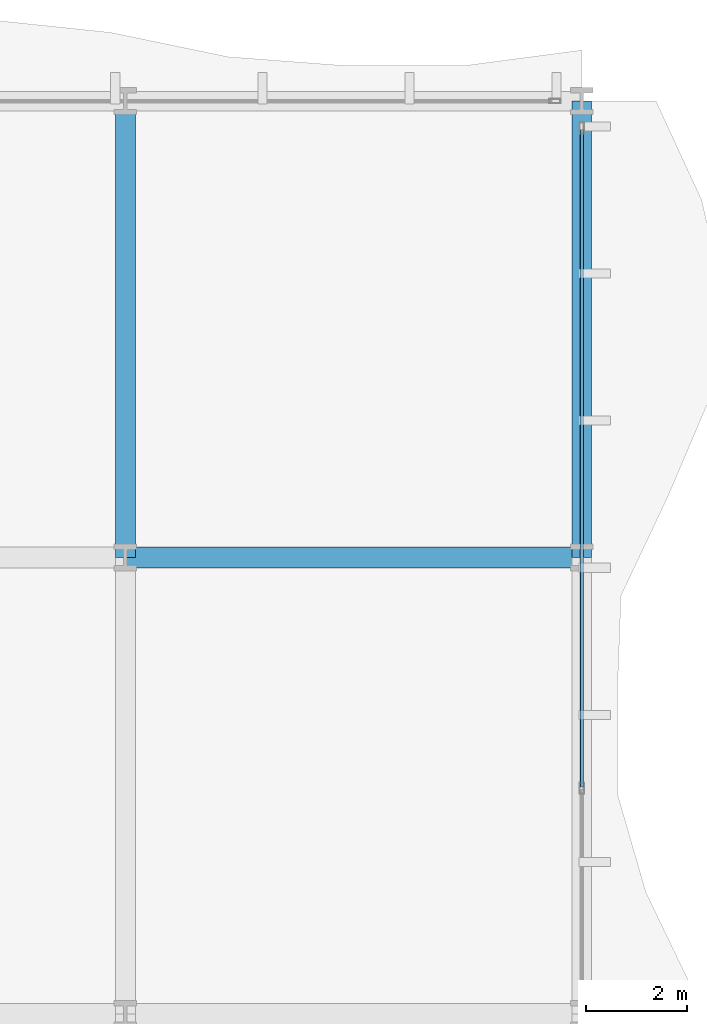
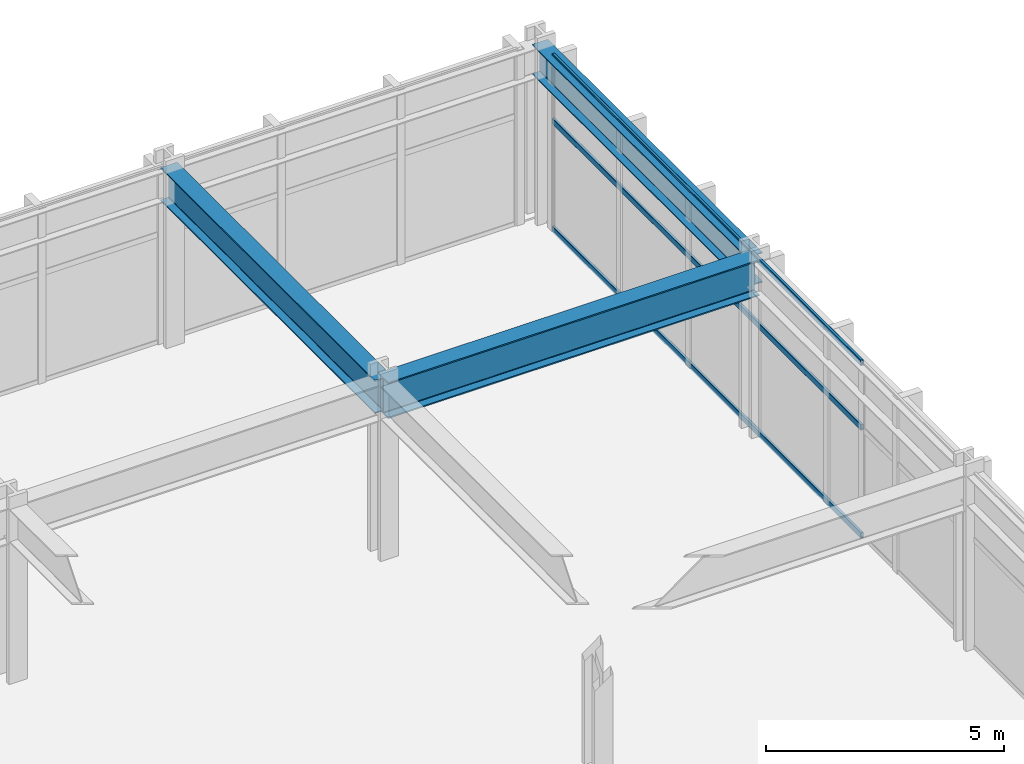
# One storey, part 16 of 29: 3 beams, 3 members, 1 element without a shape of its own.
"""IFC4 building model written with IfcOpenShell, lengths in metres."""

from ifc_helpers import new_model, si_unit, direction, frame, origin, origin_2d, place, context, subcontext, project, spatial, hollow_rectangle, i_section, extrude, material, layer, layer_set, material_profile, profile_set, type_object, element, aggregate, save


model = new_model("IFC4")

# Units and contexts
model_context = context("Model", 3, precision=1e-05, world=origin(), true_north=direction((0.0, 1.0)))
body_context = subcontext(model_context, "Body", "Model", "MODEL_VIEW")
ifc_project = project(units=[si_unit("LENGTHUNIT", "METRE"), si_unit("AREAUNIT", "SQUARE_METRE"), si_unit("VOLUMEUNIT", "CUBIC_METRE"), si_unit("PLANEANGLEUNIT", "RADIAN"), si_unit("MASSUNIT", "GRAM", prefix="KILO")], contexts=[model_context])

# Site, building, storey
site_placement = place(None, origin())
site = spatial("IfcSite", under=ifc_project, at=site_placement, CompositionType="ELEMENT")
building_placement = place(site_placement, origin())
building = spatial("IfcBuilding", under=site, at=building_placement, Name="Solvaryn Broadcast Tower", CompositionType="ELEMENT")
storey_placement = place(building_placement, frame((0.0, 0.0, 21.199951171875)))
storey = spatial("IfcBuildingStorey", under=building, at=storey_placement, Name="L04", CompositionType="ELEMENT", Elevation=21.199951171875)

# Beams
ifc_material_1 = material(Name="Steel ASTM A992 Grade 50", Category="steel")
ifc_material_profile_1 = material_profile(ifc_material_1, i_section(OverallWidth=0.41796875, OverallDepth=0.927001953125, WebThickness=0.019287109375, FlangeThickness=0.031982421875, FilletRadius=0.02392578125, at=origin_2d()))
ifc_profile_set_1 = profile_set([ifc_material_profile_1], Name="Steel ASTM A992 Grade 50")
beam_type_1 = type_object("IfcBeamType", Name="BM-G2-W36X231", PredefinedType="BEAM", material=ifc_profile_set_1)
beam_1_placement = place(storey_placement, frame((54.0, 45.0, 4.0166015625), z_axis=(1.0, 0.0, 0.0), x_axis=(0.0, 1.0, 0.0)))
element("IfcBeam", 1, at=beam_1_placement, inside=storey, type_object=beam_type_1, Name="L04 Primary Beam X (54-63 @ Y=45)", PredefinedType="BEAM", context=body_context, shape_type="SweptSolid", body=[
    extrude(i_section(OverallWidth=0.41796875, OverallDepth=0.927001953125, WebThickness=0.019287109375, FlangeThickness=0.031982421875, FilletRadius=0.02392578125, at=origin_2d()), origin(), (0.0, 0.0, 1.0), 9.0),
])
ifc_material_2 = material(Name="Steel ASTM A992 Grade 50", Category="steel")
ifc_material_profile_2 = material_profile(ifc_material_2, i_section(OverallWidth=0.39990234375, OverallDepth=0.85498046875, WebThickness=0.018310546875, FlangeThickness=0.029296875, FilletRadius=0.02001953125, at=origin_2d()))
ifc_profile_set_2 = profile_set([ifc_material_profile_2], Name="Steel ASTM A992 Grade 50")
beam_type_2 = type_object("IfcBeamType", Name="BM-G3-W33X201", PredefinedType="BEAM", material=ifc_profile_set_2)
beam_2_placement = place(storey_placement, frame((54.0, 45.0, 4.052490234375), z_axis=(0.0, 1.0, 0.0), x_axis=(-1.0, 0.0, 0.0)))
element("IfcBeam", 2, at=beam_2_placement, inside=storey, type_object=beam_type_2, Name="L04 Primary Beam Y (45-54 @ X=54)", PredefinedType="BEAM", context=body_context, shape_type="SweptSolid", body=[
    extrude(i_section(OverallWidth=0.39990234375, OverallDepth=0.85498046875, WebThickness=0.018310546875, FlangeThickness=0.029296875, FilletRadius=0.02001953125, at=origin_2d()), origin(), (0.0, 0.0, 1.0), 9.0),
])
ifc_material_3 = material(Name="Steel ASTM A992 Grade 50", Category="steel")
ifc_material_profile_3 = material_profile(ifc_material_3, i_section(OverallWidth=0.381103515625, OverallDepth=0.77294921875, WebThickness=0.0166015625, FlangeThickness=0.027099609375, FilletRadius=0.01806640625, at=origin_2d()))
ifc_profile_set_3 = profile_set([ifc_material_profile_3], Name="Steel ASTM A992 Grade 50")
beam_type_3 = type_object("IfcBeamType", Name="BM-SP1-W30X173", PredefinedType="USERDEFINED", material=ifc_profile_set_3)
beam_3_placement = place(storey_placement, frame((63.0, 45.0, 4.093505859375), z_axis=(0.0, 1.0, 0.0), x_axis=(-1.0, 0.0, 0.0)))
element("IfcBeam", 3, at=beam_3_placement, inside=storey, type_object=beam_type_3, Name="L04 Spandrel Beam Y (45-54 @ X=63)", ObjectType="SPANDREL", PredefinedType="USERDEFINED", context=body_context, shape_type="SweptSolid", body=[
    extrude(i_section(OverallWidth=0.381103515625, OverallDepth=0.77294921875, WebThickness=0.0166015625, FlangeThickness=0.027099609375, FilletRadius=0.01806640625, at=origin_2d()), origin(), (0.0, 0.0, 1.0), 9.0),
])

# Curtain wall, members
ifc_material_4 = material(Name="Aluminium and Terracotta Unitised Curtain Wall", Category="masonry")
ifc_layer = layer(ifc_material_4, 0.219970703125)
ifc_layer_set = layer_set([ifc_layer], Name="CW-SYS1-PODIUM")
curtain_wall_type = type_object("IfcCurtainWallType", Name="CW-SYS1-PODIUM", PredefinedType="NOTDEFINED", material=ifc_layer_set)
curtain_wall_placement = place(storey_placement, origin())
curtain_wall = element("IfcCurtainWall", 4, at=curtain_wall_placement, inside=storey, type_object=curtain_wall_type, Name="L04 Podium Curtain Wall E1", PredefinedType="NOTDEFINED")
ifc_material_5 = material(Name="Anodised Aluminium 6063-T6", Category="aluminium")
ifc_material_profile_4 = material_profile(ifc_material_5, hollow_rectangle(XDim=0.06494140625, YDim=0.14990234375, WallThickness=0.00390625, InnerFilletRadius=0.00390625, OuterFilletRadius=0.008056640625, at=origin_2d()))
ifc_profile_set_4 = profile_set([ifc_material_profile_4], Name="Anodised Aluminium 6063-T6")
member_type = type_object("IfcMemberType", Name="CW-TRN-150", PredefinedType="USERDEFINED", material=ifc_profile_set_4)
member_1_placement = place(storey_placement, frame((63.0, 53.43994140625, 0.030029296875), z_axis=(0.0, -1.0, 0.0), x_axis=(1.0, 0.0, 0.0)))
member_1 = element("IfcMember", 5, at=member_1_placement, type_object=member_type, Name="CWS1 transom 1.1", ObjectType="TRANSOM", PredefinedType="USERDEFINED", context=body_context, shape_type="SweptSolid", body=[
    extrude(hollow_rectangle(XDim=0.06494140625, YDim=0.14990234375, WallThickness=0.00390625, InnerFilletRadius=0.00390625, OuterFilletRadius=0.008056640625, at=origin_2d()), origin(), (0.0, 0.0, 1.0), 12.9599609375),
])
member_2_placement = place(storey_placement, frame((63.0, 53.43994140625, 2.800048828125), z_axis=(0.0, -1.0, 0.0), x_axis=(1.0, 0.0, 0.0)))
member_2 = element("IfcMember", 6, at=member_2_placement, type_object=member_type, Name="CWS1 transom 1.2", ObjectType="TRANSOM", PredefinedType="USERDEFINED", context=body_context, shape_type="SweptSolid", body=[
    extrude(hollow_rectangle(XDim=0.06494140625, YDim=0.14990234375, WallThickness=0.00390625, InnerFilletRadius=0.00390625, OuterFilletRadius=0.008056640625, at=origin_2d()), origin(), (0.0, 0.0, 1.0), 12.9599609375),
])
member_3_placement = place(storey_placement, frame((63.0, 53.43994140625, 4.449951171875), z_axis=(0.0, -1.0, 0.0), x_axis=(1.0, 0.0, 0.0)))
member_3 = element("IfcMember", 7, at=member_3_placement, type_object=member_type, Name="CWS1 transom 1.3", ObjectType="TRANSOM", PredefinedType="USERDEFINED", context=body_context, shape_type="SweptSolid", body=[
    extrude(hollow_rectangle(XDim=0.06494140625, YDim=0.14990234375, WallThickness=0.00390625, InnerFilletRadius=0.00390625, OuterFilletRadius=0.008056640625, at=origin_2d()), origin(), (0.0, 0.0, 1.0), 12.9599609375),
])
aggregate(curtain_wall, [member_1, member_2, member_3])

save(model, "model.ifc")
